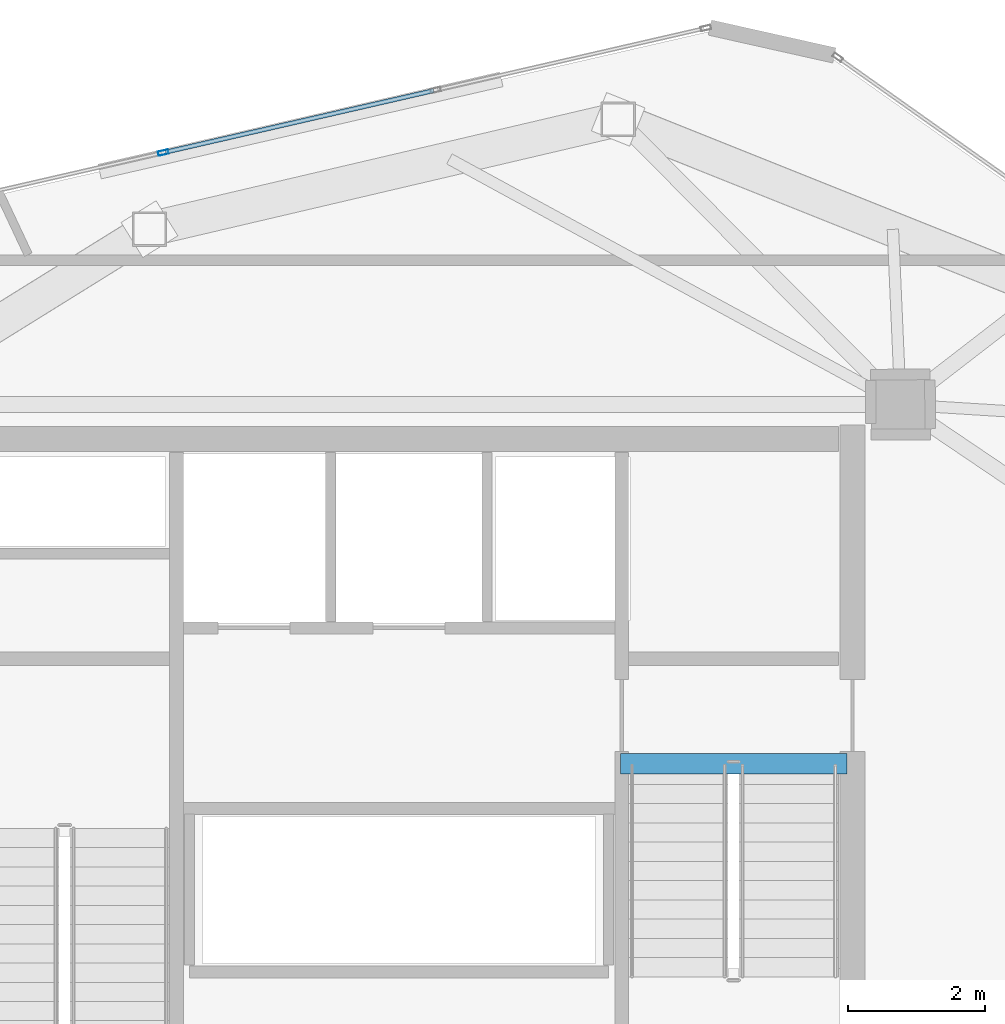
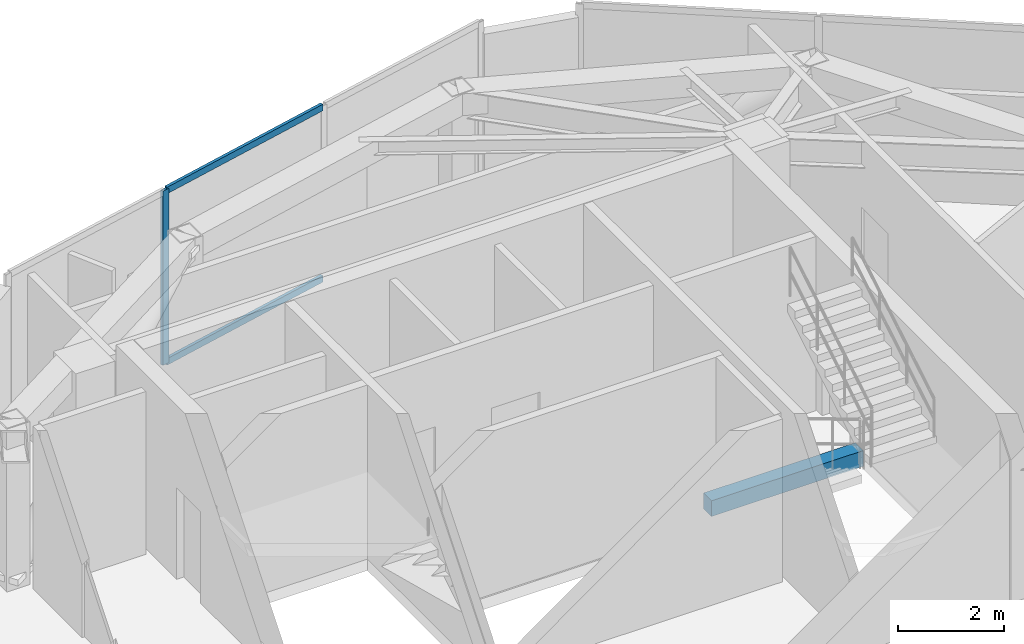
# One storey, part 12 of 21: 3 members, 1 beam, 1 element without a shape of its own.
"""IFC4 building model written with IfcOpenShell, lengths in metres."""

from ifc_helpers import new_model, si_unit, direction, frame, origin, origin_2d, place, context, subcontext, project, spatial, rectangle, hollow_rectangle, extrude, source, transform, mapped, material, layer, layer_set, material_profile, profile_set, type_object, type_shapes, element, aggregate, save


model = new_model("IFC4")

# Units and contexts
model_context = context("Model", 3, precision=1e-05, world=origin(), true_north=direction((0.0, 1.0)))
body_context = subcontext(model_context, "Body", "Model", "MODEL_VIEW")
ifc_project = project(units=[si_unit("LENGTHUNIT", "METRE"), si_unit("AREAUNIT", "SQUARE_METRE"), si_unit("VOLUMEUNIT", "CUBIC_METRE"), si_unit("PLANEANGLEUNIT", "RADIAN"), si_unit("MASSUNIT", "GRAM", prefix="KILO")], contexts=[model_context])

# Site, building, storey
site_placement = place(None, origin())
site = spatial("IfcSite", under=ifc_project, at=site_placement, CompositionType="ELEMENT")
building_placement = place(site_placement, origin())
building = spatial("IfcBuilding", under=site, at=building_placement, Name="Talar Marvaseh", CompositionType="ELEMENT")
storey_placement = place(building_placement, frame((0.0, 0.0, 308.0)))
storey = spatial("IfcBuildingStorey", under=building, at=storey_placement, Name="L82", CompositionType="ELEMENT", Elevation=308.0)

# Beam
ifc_material_1 = material(Name="Concrete C40/50", Category="concrete")
ifc_material_profile_1 = material_profile(ifc_material_1, rectangle(XDim=0.300048828125, YDim=0.360107421875, at=origin_2d()), Name="RC300x360")
ifc_profile_set_1 = profile_set([ifc_material_profile_1], Name="Concrete C40/50")
beam_type = type_object("IfcBeamType", Name="Concrete Stair Landing Trimmer Beam RC300x360", PredefinedType="SPANDREL", material=ifc_profile_set_1)
beam_placement = place(storey_placement, frame((29.219970703125, 31.669921875, -0.179931640625), z_axis=(1.0, 0.0, 0.0), x_axis=(0.0, 1.0, 0.0)))
element("IfcBeam", 1, at=beam_placement, inside=storey, type_object=beam_type, Name="L82 ST-2 Stair Nosing Trimmer Beam", PredefinedType="SPANDREL", context=body_context, shape_type="SweptSolid", body=[
    extrude(rectangle(XDim=0.300048828125, YDim=0.360107421875, at=origin_2d()), origin(), (0.0, 0.0, 1.0), 3.300048828125),
])

# Curtain wall, members
ifc_material_2 = material(Name="Architectural Aluminium", Category="aluminium")
ifc_layer = layer(ifc_material_2, 0.2099609375)
ifc_layer_set = layer_set([ifc_layer], Name="Architectural Aluminium")
curtain_wall_type = type_object("IfcCurtainWallType", Name="Crown Plant Acoustic Spandrel Curtain Wall", PredefinedType="NOTDEFINED", material=ifc_layer_set)
curtain_wall_placement = place(storey_placement, origin())
curtain_wall = element("IfcCurtainWall", 2, at=curtain_wall_placement, inside=storey, type_object=curtain_wall_type, Name="L82 Crown Plant Acoustic Spandrel Curtain Wall", PredefinedType="NOTDEFINED")
ifc_material_profile_2 = material_profile(ifc_material_2, hollow_rectangle(XDim=0.06494140625, YDim=0.14990234375, WallThickness=0.00390625, at=origin_2d()), Name="RHS150x65x4")
ifc_profile_set_2 = profile_set([ifc_material_profile_2], Name="Architectural Aluminium")
member_type_1 = type_object("IfcMemberType", Name="Unitised Curtain Wall Slim Transom RHS150x65x4", PredefinedType="USERDEFINED", material=ifc_profile_set_2)
shared_shape_1 = source(origin(), body_context, "Body", "SweptSolid", [
    extrude(hollow_rectangle(XDim=0.06494140625, YDim=0.14990234375, WallThickness=0.00390625, at=origin_2d()), origin(), (0.0, 0.0, 1.0), 4.00390625),
])
type_shapes(member_type_1, [shared_shape_1])
member_1_placement = place(storey_placement, frame((22.5986328125, 40.5751953125, 0.032470703125), z_axis=(0.974639299304, 0.223781670949, 0.0), x_axis=(-0.223781670949, 0.974639299304, 0.0)))
member_1 = element("IfcMember", 3, at=member_1_placement, type_object=member_type_1, Name="CW-CRN transom 2.1", ObjectType="TRANSOM", PredefinedType="USERDEFINED", context=body_context, shape_type="MappedRepresentation", body=[
    mapped(shared_shape_1, transform((0.0, 0.0, 0.0), x_axis=(1.0, 0.0, 0.0), y_axis=(0.0, 1.0, 0.0), z_axis=(0.0, 0.0, 1.0), scale=1.0)),
])
member_2_placement = place(storey_placement, frame((22.5986328125, 40.5751953125, 3.967529296875), z_axis=(0.974639299304, 0.223781670949, 0.0), x_axis=(-0.223781670949, 0.974639299304, 0.0)))
member_2 = element("IfcMember", 4, at=member_2_placement, type_object=member_type_1, Name="CW-CRN transom 2.2", ObjectType="TRANSOM", PredefinedType="USERDEFINED", context=body_context, shape_type="MappedRepresentation", body=[
    mapped(shared_shape_1, transform((0.0, 0.0, 0.0), x_axis=(1.0, 0.0, 0.0), y_axis=(0.0, 1.0, 0.0), z_axis=(0.0, 0.0, 1.0), scale=1.0)),
])
ifc_material_profile_3 = material_profile(ifc_material_2, hollow_rectangle(XDim=0.06494140625, YDim=0.14990234375, WallThickness=0.00390625, at=origin_2d()), Name="RHS150x65x4")
ifc_profile_set_3 = profile_set([ifc_material_profile_3], Name="Architectural Aluminium")
member_type_2 = type_object("IfcMemberType", Name="Unitised Curtain Wall Slim Mullion RHS150x65x4", PredefinedType="MULLION", material=ifc_profile_set_3)
shared_shape_2 = source(origin(), body_context, "Body", "SweptSolid", [
    extrude(hollow_rectangle(XDim=0.06494140625, YDim=0.14990234375, WallThickness=0.00390625, at=origin_2d()), origin(), (0.0, 0.0, 1.0), 4.0),
])
type_shapes(member_type_2, [shared_shape_2])
member_3_placement = place(storey_placement, frame((22.567138671875, 40.568115234375, 0.0), z_axis=(0.0, 0.0, 1.0), x_axis=(-0.223791926761, 0.974636944465, 0.0)))
member_3 = element("IfcMember", 5, at=member_3_placement, type_object=member_type_2, Name="CW-CRN mullion 2", PredefinedType="MULLION", context=body_context, shape_type="MappedRepresentation", body=[
    mapped(shared_shape_2, transform((0.0, 0.0, 0.0), x_axis=(1.0, 0.0, 0.0), y_axis=(0.0, 1.0, 0.0), z_axis=(0.0, 0.0, 1.0), scale=1.0)),
])
aggregate(curtain_wall, [member_3, member_1, member_2])

save(model, "model.ifc")
